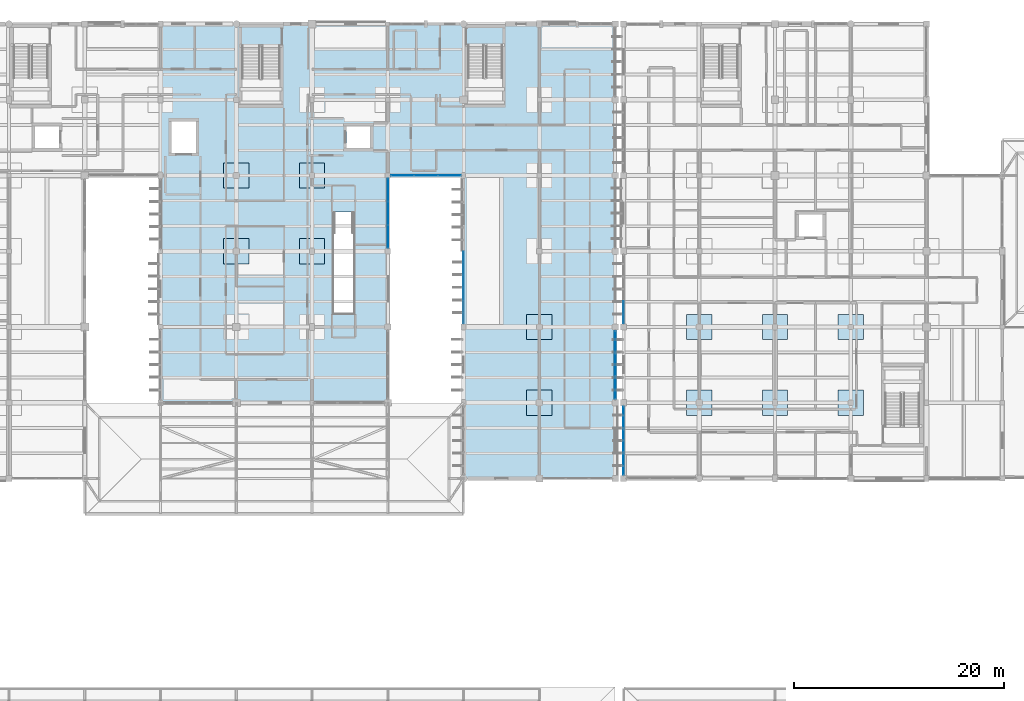
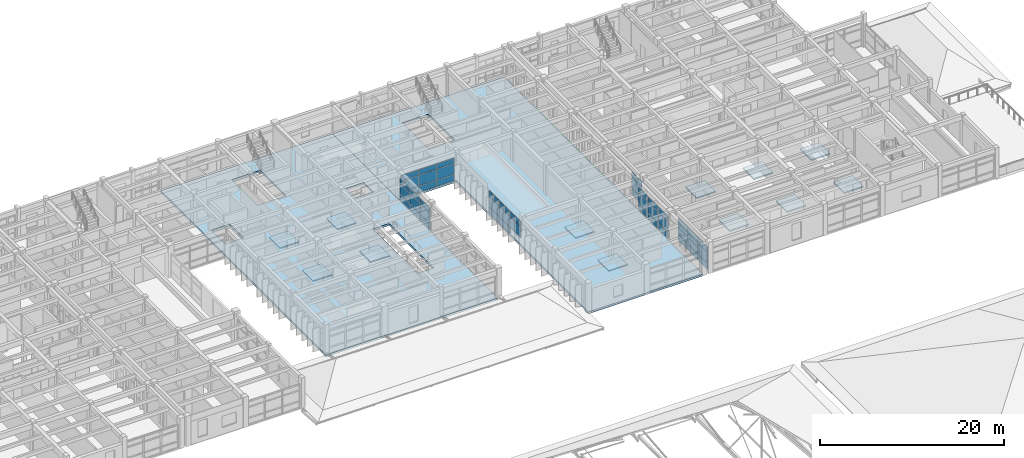
# One storey, part 53 of 100: 47 plates, 14 slabs, 6 elements without a shape of their own.
"""IFC4 building model written with IfcOpenShell, lengths in metres."""

from ifc_helpers import new_model, si_unit, direction, frame, origin, origin_2d, place, context, subcontext, project, spatial, polyline, rectangle, outline, extrude, material, layer, layer_set, type_object, element, aggregate, save


model = new_model("IFC4")

# Units and contexts
model_context = context("Model", 3, precision=1e-05, world=origin(), true_north=direction((0.0, 1.0)))
body_context = subcontext(model_context, "Body", "Model", "MODEL_VIEW")
ifc_project = project(units=[si_unit("LENGTHUNIT", "METRE"), si_unit("AREAUNIT", "SQUARE_METRE"), si_unit("VOLUMEUNIT", "CUBIC_METRE"), si_unit("PLANEANGLEUNIT", "RADIAN"), si_unit("MASSUNIT", "GRAM", prefix="KILO")], contexts=[model_context])

# Site, building, storey
site_placement = place(None, origin())
site = spatial("IfcSite", under=ifc_project, at=site_placement, CompositionType="ELEMENT")
building_placement = place(site_placement, origin())
building = spatial("IfcBuilding", under=site, at=building_placement, Name="Steenspoor Specialist Clinic", CompositionType="ELEMENT")
storey_placement = place(building_placement, frame((0.0, 0.0, 9.0)))
storey = spatial("IfcBuildingStorey", under=building, at=storey_placement, Name="L02", CompositionType="ELEMENT", Elevation=9.0)

# Curtain wall, plates
ifc_material_1 = material(Name="Thermally broken aluminium and low-emissivity glass", Category="aluminium")
curtain_wall_type_1 = type_object("IfcCurtainWallType", Name="CW-WLK-520X340", PredefinedType="USERDEFINED", material=ifc_material_1)
curtain_wall_1_placement = place(storey_placement, origin())
curtain_wall_1 = element("IfcCurtainWall", 1, at=curtain_wall_1_placement, inside=storey, type_object=curtain_wall_type_1, Name="Unitised Curtain Wall CW-V4-L02-093", ObjectType="UNITISED GLAZING", PredefinedType="USERDEFINED")
ifc_material_2 = material(Name="Double low-emissivity insulated glass", Category="glass")
ifc_layer_1 = layer(ifc_material_2, 0.035888671875)
ifc_layer_set_1 = layer_set([ifc_layer_1], Name="Double low-emissivity insulated glass")
plate_type_1 = type_object("IfcPlateType", Name="CW-PAN-GL36", PredefinedType="CURTAIN_PANEL", material=ifc_layer_set_1)
plate_1_placement = place(storey_placement, frame((101.458740234375, 93.949951171875, 0.06005859375), z_axis=(0.0, 0.0, 1.0), x_axis=(-1.0, 0.0, 0.0)))
plate_1 = element("IfcPlate", 2, at=plate_1_placement, type_object=plate_type_1, Name="CW-21 panel 1.1", PredefinedType="CURTAIN_PANEL", context=body_context, shape_type="SweptSolid", body=[
    extrude(rectangle(XDim=2.152587890625, YDim=0.035888671875, at=origin_2d()), origin(), (0.0, 0.0, 1.0), 0.81005859375),
])
plate_2_placement = place(storey_placement, frame((101.458740234375, 93.949951171875, 0.93017578125), z_axis=(0.0, 0.0, 1.0), x_axis=(-1.0, 0.0, 0.0)))
plate_2 = element("IfcPlate", 3, at=plate_2_placement, type_object=plate_type_1, Name="CW-21 panel 1.2", PredefinedType="CURTAIN_PANEL", context=body_context, shape_type="SweptSolid", body=[
    extrude(rectangle(XDim=2.152587890625, YDim=0.035888671875, at=origin_2d()), origin(), (0.0, 0.0, 1.0), 1.389892578125),
])
plate_3_placement = place(storey_placement, frame((101.458740234375, 93.949951171875, 2.380126953125), z_axis=(0.0, 0.0, 1.0), x_axis=(-1.0, 0.0, 0.0)))
plate_3 = element("IfcPlate", 4, at=plate_3_placement, type_object=plate_type_1, Name="CW-21 panel 1.3", PredefinedType="CURTAIN_PANEL", context=body_context, shape_type="SweptSolid", body=[
    extrude(rectangle(XDim=2.152587890625, YDim=0.035888671875, at=origin_2d()), origin(), (0.0, 0.0, 1.0), 0.68994140625),
])
plate_4_placement = place(storey_placement, frame((99.22509765625, 93.949951171875, 0.06005859375), z_axis=(0.0, 0.0, 1.0), x_axis=(-1.0, 0.0, 0.0)))
plate_4 = element("IfcPlate", 5, at=plate_4_placement, type_object=plate_type_1, Name="CW-21 panel 2.1", PredefinedType="CURTAIN_PANEL", context=body_context, shape_type="SweptSolid", body=[
    extrude(rectangle(XDim=2.18505859375, YDim=0.035888671875, at=origin_2d()), origin(), (0.0, 0.0, 1.0), 0.81005859375),
])
plate_5_placement = place(storey_placement, frame((99.22509765625, 93.949951171875, 0.93017578125), z_axis=(0.0, 0.0, 1.0), x_axis=(-1.0, 0.0, 0.0)))
plate_5 = element("IfcPlate", 6, at=plate_5_placement, type_object=plate_type_1, Name="CW-21 panel 2.2", PredefinedType="CURTAIN_PANEL", context=body_context, shape_type="SweptSolid", body=[
    extrude(rectangle(XDim=2.18505859375, YDim=0.035888671875, at=origin_2d()), origin(), (0.0, 0.0, 1.0), 1.389892578125),
])
plate_6_placement = place(storey_placement, frame((99.22509765625, 93.949951171875, 2.380126953125), z_axis=(0.0, 0.0, 1.0), x_axis=(-1.0, 0.0, 0.0)))
plate_6 = element("IfcPlate", 7, at=plate_6_placement, type_object=plate_type_1, Name="CW-21 panel 2.3", PredefinedType="CURTAIN_PANEL", context=body_context, shape_type="SweptSolid", body=[
    extrude(rectangle(XDim=2.18505859375, YDim=0.035888671875, at=origin_2d()), origin(), (0.0, 0.0, 1.0), 0.68994140625),
])
plate_7_placement = place(storey_placement, frame((96.9912109375, 93.949951171875, 0.06005859375), z_axis=(0.0, 0.0, 1.0), x_axis=(-1.0, 0.0, 0.0)))
plate_7 = element("IfcPlate", 8, at=plate_7_placement, type_object=plate_type_1, Name="CW-21 panel 3.1", PredefinedType="CURTAIN_PANEL", context=body_context, shape_type="SweptSolid", body=[
    extrude(rectangle(XDim=2.152587890625, YDim=0.035888671875, at=origin_2d()), origin(), (0.0, 0.0, 1.0), 0.81005859375),
])
plate_8_placement = place(storey_placement, frame((96.9912109375, 93.949951171875, 0.93017578125), z_axis=(0.0, 0.0, 1.0), x_axis=(-1.0, 0.0, 0.0)))
plate_8 = element("IfcPlate", 9, at=plate_8_placement, type_object=plate_type_1, Name="CW-21 panel 3.2", PredefinedType="CURTAIN_PANEL", context=body_context, shape_type="SweptSolid", body=[
    extrude(rectangle(XDim=2.152587890625, YDim=0.035888671875, at=origin_2d()), origin(), (0.0, 0.0, 1.0), 1.389892578125),
])
plate_9_placement = place(storey_placement, frame((96.9912109375, 93.949951171875, 2.380126953125), z_axis=(0.0, 0.0, 1.0), x_axis=(-1.0, 0.0, 0.0)))
plate_9 = element("IfcPlate", 10, at=plate_9_placement, type_object=plate_type_1, Name="CW-21 panel 3.3", PredefinedType="CURTAIN_PANEL", context=body_context, shape_type="SweptSolid", body=[
    extrude(rectangle(XDim=2.152587890625, YDim=0.035888671875, at=origin_2d()), origin(), (0.0, 0.0, 1.0), 0.68994140625),
])
aggregate(curtain_wall_1, [plate_1, plate_2, plate_3, plate_4, plate_5, plate_6, plate_7, plate_8, plate_9])

curtain_wall_type_2 = type_object("IfcCurtainWallType", Name="CW-WLK-360X340", PredefinedType="USERDEFINED", material=ifc_material_1)
curtain_wall_2_placement = place(storey_placement, origin())
curtain_wall_2 = element("IfcCurtainWall", 11, at=curtain_wall_2_placement, inside=storey, type_object=curtain_wall_type_2, Name="Unitised Curtain Wall CW-V4-L02-094", ObjectType="UNITISED GLAZING", PredefinedType="USERDEFINED")
ifc_material_3 = material(Name="Triple acoustic laminated low-emissivity glass", Category="glass")
ifc_layer_2 = layer(ifc_material_3, 0.048095703125)
ifc_layer_set_2 = layer_set([ifc_layer_2], Name="Triple acoustic laminated low-emissivity glass")
plate_type_2 = type_object("IfcPlateType", Name="CW-PAN-GL48", PredefinedType="CURTAIN_PANEL", material=ifc_layer_set_2)
plate_10_placement = place(storey_placement, frame((95.60009765625, 92.572509765625, 0.08984375), z_axis=(0.0, 0.0, 1.0), x_axis=(0.0, -1.0, 0.0)))
plate_10 = element("IfcPlate", 12, at=plate_10_placement, type_object=plate_type_2, Name="CW-22 panel 1.1", PredefinedType="CURTAIN_PANEL", context=body_context, shape_type="SweptSolid", body=[
    extrude(rectangle(XDim=2.135009765625, YDim=0.048095703125, at=origin_2d()), origin(), (0.0, 0.0, 1.0), 0.764892578125),
])
plate_11_placement = place(storey_placement, frame((95.60009765625, 92.572509765625, 0.94482421875), z_axis=(0.0, 0.0, 1.0), x_axis=(0.0, -1.0, 0.0)))
plate_11 = element("IfcPlate", 13, at=plate_11_placement, type_object=plate_type_2, Name="CW-22 panel 1.2", PredefinedType="CURTAIN_PANEL", context=body_context, shape_type="SweptSolid", body=[
    extrude(rectangle(XDim=2.135009765625, YDim=0.048095703125, at=origin_2d()), origin(), (0.0, 0.0, 1.0), 1.360107421875),
])
plate_12_placement = place(storey_placement, frame((95.60009765625, 92.572509765625, 2.39501953125), z_axis=(0.0, 0.0, 1.0), x_axis=(0.0, -1.0, 0.0)))
plate_12 = element("IfcPlate", 14, at=plate_12_placement, type_object=plate_type_2, Name="CW-22 panel 1.3", PredefinedType="CURTAIN_PANEL", context=body_context, shape_type="SweptSolid", body=[
    extrude(rectangle(XDim=2.135009765625, YDim=0.048095703125, at=origin_2d()), origin(), (0.0, 0.0, 1.0), 0.64501953125),
])
plate_13_placement = place(storey_placement, frame((95.60009765625, 90.362548828125, 0.08984375), z_axis=(0.0, 0.0, 1.0), x_axis=(0.0, -1.0, 0.0)))
plate_13 = element("IfcPlate", 15, at=plate_13_placement, type_object=plate_type_2, Name="CW-22 panel 2.1", PredefinedType="CURTAIN_PANEL", context=body_context, shape_type="SweptSolid", body=[
    extrude(rectangle(XDim=2.1650390625, YDim=0.048095703125, at=origin_2d()), origin(), (0.0, 0.0, 1.0), 0.764892578125),
])
plate_14_placement = place(storey_placement, frame((95.60009765625, 90.362548828125, 0.94482421875), z_axis=(0.0, 0.0, 1.0), x_axis=(0.0, -1.0, 0.0)))
plate_14 = element("IfcPlate", 16, at=plate_14_placement, type_object=plate_type_2, Name="CW-22 panel 2.2", PredefinedType="CURTAIN_PANEL", context=body_context, shape_type="SweptSolid", body=[
    extrude(rectangle(XDim=2.1650390625, YDim=0.048095703125, at=origin_2d()), origin(), (0.0, 0.0, 1.0), 1.360107421875),
])
plate_15_placement = place(storey_placement, frame((95.60009765625, 90.362548828125, 2.39501953125), z_axis=(0.0, 0.0, 1.0), x_axis=(0.0, -1.0, 0.0)))
plate_15 = element("IfcPlate", 17, at=plate_15_placement, type_object=plate_type_2, Name="CW-22 panel 2.3", PredefinedType="CURTAIN_PANEL", context=body_context, shape_type="SweptSolid", body=[
    extrude(rectangle(XDim=2.1650390625, YDim=0.048095703125, at=origin_2d()), origin(), (0.0, 0.0, 1.0), 0.64501953125),
])
plate_16_placement = place(storey_placement, frame((95.60009765625, 88.152587890625, 0.08984375), z_axis=(0.0, 0.0, 1.0), x_axis=(0.0, -1.0, 0.0)))
plate_16 = element("IfcPlate", 18, at=plate_16_placement, type_object=plate_type_2, Name="CW-22 panel 3.1", PredefinedType="CURTAIN_PANEL", context=body_context, shape_type="SweptSolid", body=[
    extrude(rectangle(XDim=2.135009765625, YDim=0.048095703125, at=origin_2d()), origin(), (0.0, 0.0, 1.0), 0.764892578125),
])
plate_17_placement = place(storey_placement, frame((95.60009765625, 88.152587890625, 0.94482421875), z_axis=(0.0, 0.0, 1.0), x_axis=(0.0, -1.0, 0.0)))
plate_17 = element("IfcPlate", 19, at=plate_17_placement, type_object=plate_type_2, Name="CW-22 panel 3.2", PredefinedType="CURTAIN_PANEL", context=body_context, shape_type="SweptSolid", body=[
    extrude(rectangle(XDim=2.135009765625, YDim=0.048095703125, at=origin_2d()), origin(), (0.0, 0.0, 1.0), 1.360107421875),
])
plate_18_placement = place(storey_placement, frame((95.60009765625, 88.152587890625, 2.39501953125), z_axis=(0.0, 0.0, 1.0), x_axis=(0.0, -1.0, 0.0)))
plate_18 = element("IfcPlate", 20, at=plate_18_placement, type_object=plate_type_2, Name="CW-22 panel 3.3", PredefinedType="CURTAIN_PANEL", context=body_context, shape_type="SweptSolid", body=[
    extrude(rectangle(XDim=2.135009765625, YDim=0.048095703125, at=origin_2d()), origin(), (0.0, 0.0, 1.0), 0.64501953125),
])
aggregate(curtain_wall_2, [plate_10, plate_11, plate_12, plate_13, plate_14, plate_15, plate_16, plate_17, plate_18])

curtain_wall_type_3 = type_object("IfcCurtainWallType", Name="CW-SCR-360X320", PredefinedType="USERDEFINED", material=ifc_material_1)
curtain_wall_3_placement = place(storey_placement, origin())
curtain_wall_3 = element("IfcCurtainWall", 21, at=curtain_wall_3_placement, inside=storey, type_object=curtain_wall_type_3, Name="Unitised Curtain Wall CW-V6-L02-187", ObjectType="UNITISED GLAZING", PredefinedType="USERDEFINED")
plate_19_placement = place(storey_placement, frame((118.0, 66.570068359375, 0.06494140625), z_axis=(0.0, 0.0, 1.0), x_axis=(0.0, 1.0, 0.0)))
plate_19 = element("IfcPlate", 22, at=plate_19_placement, type_object=plate_type_2, Name="CW-19 panel 1.1", PredefinedType="CURTAIN_PANEL", context=body_context, shape_type="SweptSolid", body=[
    extrude(rectangle(XDim=2.080078125, YDim=0.048095703125, at=origin_2d()), origin(), (0.0, 0.0, 1.0), 0.802490234375),
])
plate_20_placement = place(storey_placement, frame((118.0, 66.570068359375, 0.9326171875), z_axis=(0.0, 0.0, 1.0), x_axis=(0.0, 1.0, 0.0)))
plate_20 = element("IfcPlate", 23, at=plate_20_placement, type_object=plate_type_2, Name="CW-19 panel 1.2", PredefinedType="CURTAIN_PANEL", context=body_context, shape_type="SweptSolid", body=[
    extrude(rectangle(XDim=2.080078125, YDim=0.048095703125, at=origin_2d()), origin(), (0.0, 0.0, 1.0), 1.385009765625),
])
plate_21_placement = place(storey_placement, frame((118.0, 66.570068359375, 2.38232421875), z_axis=(0.0, 0.0, 1.0), x_axis=(0.0, 1.0, 0.0)))
plate_21 = element("IfcPlate", 24, at=plate_21_placement, type_object=plate_type_2, Name="CW-19 panel 1.3", PredefinedType="CURTAIN_PANEL", context=body_context, shape_type="SweptSolid", body=[
    extrude(rectangle(XDim=2.080078125, YDim=0.048095703125, at=origin_2d()), origin(), (0.0, 0.0, 1.0), 0.6826171875),
])
plate_22_placement = place(storey_placement, frame((118.0, 68.75, 0.06494140625), z_axis=(0.0, 0.0, 1.0), x_axis=(0.0, 1.0, 0.0)))
plate_22 = element("IfcPlate", 25, at=plate_22_placement, type_object=plate_type_2, Name="CW-19 panel 2.1", PredefinedType="CURTAIN_PANEL", context=body_context, shape_type="SweptSolid", body=[
    extrude(rectangle(XDim=2.1201171875, YDim=0.048095703125, at=origin_2d()), origin(), (0.0, 0.0, 1.0), 0.802490234375),
])
plate_23_placement = place(storey_placement, frame((118.0, 68.75, 0.9326171875), z_axis=(0.0, 0.0, 1.0), x_axis=(0.0, 1.0, 0.0)))
plate_23 = element("IfcPlate", 26, at=plate_23_placement, type_object=plate_type_2, Name="CW-19 panel 2.2", PredefinedType="CURTAIN_PANEL", context=body_context, shape_type="SweptSolid", body=[
    extrude(rectangle(XDim=2.1201171875, YDim=0.048095703125, at=origin_2d()), origin(), (0.0, 0.0, 1.0), 1.385009765625),
])
plate_24_placement = place(storey_placement, frame((118.0, 68.75, 2.38232421875), z_axis=(0.0, 0.0, 1.0), x_axis=(0.0, 1.0, 0.0)))
plate_24 = element("IfcPlate", 27, at=plate_24_placement, type_object=plate_type_2, Name="CW-19 panel 2.3", PredefinedType="CURTAIN_PANEL", context=body_context, shape_type="SweptSolid", body=[
    extrude(rectangle(XDim=2.1201171875, YDim=0.048095703125, at=origin_2d()), origin(), (0.0, 0.0, 1.0), 0.6826171875),
])
plate_25_placement = place(storey_placement, frame((118.0, 70.929931640625, 0.06494140625), z_axis=(0.0, 0.0, 1.0), x_axis=(0.0, 1.0, 0.0)))
plate_25 = element("IfcPlate", 28, at=plate_25_placement, type_object=plate_type_2, Name="CW-19 panel 3.1", PredefinedType="CURTAIN_PANEL", context=body_context, shape_type="SweptSolid", body=[
    extrude(rectangle(XDim=2.080078125, YDim=0.048095703125, at=origin_2d()), origin(), (0.0, 0.0, 1.0), 0.802490234375),
])
plate_26_placement = place(storey_placement, frame((118.0, 70.929931640625, 0.9326171875), z_axis=(0.0, 0.0, 1.0), x_axis=(0.0, 1.0, 0.0)))
plate_26 = element("IfcPlate", 29, at=plate_26_placement, type_object=plate_type_2, Name="CW-19 panel 3.2", PredefinedType="CURTAIN_PANEL", context=body_context, shape_type="SweptSolid", body=[
    extrude(rectangle(XDim=2.080078125, YDim=0.048095703125, at=origin_2d()), origin(), (0.0, 0.0, 1.0), 1.385009765625),
])
plate_27_placement = place(storey_placement, frame((118.0, 70.929931640625, 2.38232421875), z_axis=(0.0, 0.0, 1.0), x_axis=(0.0, 1.0, 0.0)))
plate_27 = element("IfcPlate", 30, at=plate_27_placement, type_object=plate_type_2, Name="CW-19 panel 3.3", PredefinedType="CURTAIN_PANEL", context=body_context, shape_type="SweptSolid", body=[
    extrude(rectangle(XDim=2.080078125, YDim=0.048095703125, at=origin_2d()), origin(), (0.0, 0.0, 1.0), 0.6826171875),
])
aggregate(curtain_wall_3, [plate_19, plate_20, plate_21, plate_22, plate_23, plate_24, plate_25, plate_26, plate_27])

curtain_wall_type_4 = type_object("IfcCurtainWallType", Name="CW-SCR-660X320", PredefinedType="USERDEFINED", material=ifc_material_1)
curtain_wall_4_placement = place(storey_placement, origin())
curtain_wall_4 = element("IfcCurtainWall", 31, at=curtain_wall_4_placement, inside=storey, type_object=curtain_wall_type_4, Name="Unitised Curtain Wall CW-V4-L02-089", ObjectType="UNITISED GLAZING", PredefinedType="USERDEFINED")
ifc_material_4 = material(Name="Insulated glazed ceramic spandrel panel", Category="glass")
ifc_layer_3 = layer(ifc_material_4, 0.074951171875)
ifc_layer_set_3 = layer_set([ifc_layer_3], Name="Insulated glazed ceramic spandrel panel")
plate_type_3 = type_object("IfcPlateType", Name="CW-PAN-SP75", PredefinedType="CURTAIN_PANEL", material=ifc_layer_set_3)
plate_28_placement = place(storey_placement, frame((117.199951171875, 78.12744140625, 0.08984375), z_axis=(0.0, 0.0, 1.0), x_axis=(0.0, -1.0, 0.0)))
plate_28 = element("IfcPlate", 32, at=plate_28_placement, type_object=plate_type_3, Name="CW-17 panel 1.1", PredefinedType="CURTAIN_PANEL", context=body_context, shape_type="SweptSolid", body=[
    extrude(rectangle(XDim=2.06494140625, YDim=0.074951171875, at=origin_2d()), origin(), (0.0, 0.0, 1.0), 0.764892578125),
])
plate_29_placement = place(storey_placement, frame((117.199951171875, 78.12744140625, 0.94482421875), z_axis=(0.0, 0.0, 1.0), x_axis=(0.0, -1.0, 0.0)))
plate_29 = element("IfcPlate", 33, at=plate_29_placement, type_object=plate_type_3, Name="CW-17 panel 1.2", PredefinedType="CURTAIN_PANEL", context=body_context, shape_type="SweptSolid", body=[
    extrude(rectangle(XDim=2.06494140625, YDim=0.074951171875, at=origin_2d()), origin(), (0.0, 0.0, 1.0), 1.360107421875),
])
plate_30_placement = place(storey_placement, frame((117.199951171875, 78.12744140625, 2.39501953125), z_axis=(0.0, 0.0, 1.0), x_axis=(0.0, -1.0, 0.0)))
plate_30 = element("IfcPlate", 34, at=plate_30_placement, type_object=plate_type_3, Name="CW-17 panel 1.3", PredefinedType="CURTAIN_PANEL", context=body_context, shape_type="SweptSolid", body=[
    extrude(rectangle(XDim=2.06494140625, YDim=0.074951171875, at=origin_2d()), origin(), (0.0, 0.0, 1.0), 0.64501953125),
])
plate_31_placement = place(storey_placement, frame((117.199951171875, 75.949951171875, 0.08984375), z_axis=(0.0, 0.0, 1.0), x_axis=(0.0, -1.0, 0.0)))
plate_31 = element("IfcPlate", 35, at=plate_31_placement, type_object=plate_type_3, Name="CW-17 panel 2.1", PredefinedType="CURTAIN_PANEL", context=body_context, shape_type="SweptSolid", body=[
    extrude(rectangle(XDim=2.110107421875, YDim=0.074951171875, at=origin_2d()), origin(), (0.0, 0.0, 1.0), 0.764892578125),
])
plate_32_placement = place(storey_placement, frame((117.199951171875, 75.949951171875, 0.94482421875), z_axis=(0.0, 0.0, 1.0), x_axis=(0.0, -1.0, 0.0)))
plate_32 = element("IfcPlate", 36, at=plate_32_placement, type_object=plate_type_3, Name="CW-17 panel 2.2", PredefinedType="CURTAIN_PANEL", context=body_context, shape_type="SweptSolid", body=[
    extrude(rectangle(XDim=2.110107421875, YDim=0.074951171875, at=origin_2d()), origin(), (0.0, 0.0, 1.0), 1.360107421875),
])
plate_33_placement = place(storey_placement, frame((117.199951171875, 75.949951171875, 2.39501953125), z_axis=(0.0, 0.0, 1.0), x_axis=(0.0, -1.0, 0.0)))
plate_33 = element("IfcPlate", 37, at=plate_33_placement, type_object=plate_type_3, Name="CW-17 panel 2.3", PredefinedType="CURTAIN_PANEL", context=body_context, shape_type="SweptSolid", body=[
    extrude(rectangle(XDim=2.110107421875, YDim=0.074951171875, at=origin_2d()), origin(), (0.0, 0.0, 1.0), 0.64501953125),
])
plate_34_placement = place(storey_placement, frame((117.199951171875, 73.7724609375, 0.08984375), z_axis=(0.0, 0.0, 1.0), x_axis=(0.0, -1.0, 0.0)))
plate_34 = element("IfcPlate", 38, at=plate_34_placement, type_object=plate_type_3, Name="CW-17 panel 3.1", PredefinedType="CURTAIN_PANEL", context=body_context, shape_type="SweptSolid", body=[
    extrude(rectangle(XDim=2.06494140625, YDim=0.074951171875, at=origin_2d()), origin(), (0.0, 0.0, 1.0), 0.764892578125),
])
plate_35_placement = place(storey_placement, frame((117.199951171875, 73.7724609375, 0.94482421875), z_axis=(0.0, 0.0, 1.0), x_axis=(0.0, -1.0, 0.0)))
plate_35 = element("IfcPlate", 39, at=plate_35_placement, type_object=plate_type_3, Name="CW-17 panel 3.2", PredefinedType="CURTAIN_PANEL", context=body_context, shape_type="SweptSolid", body=[
    extrude(rectangle(XDim=2.06494140625, YDim=0.074951171875, at=origin_2d()), origin(), (0.0, 0.0, 1.0), 1.360107421875),
])
plate_36_placement = place(storey_placement, frame((117.199951171875, 73.7724609375, 2.39501953125), z_axis=(0.0, 0.0, 1.0), x_axis=(0.0, -1.0, 0.0)))
plate_36 = element("IfcPlate", 40, at=plate_36_placement, type_object=plate_type_3, Name="CW-17 panel 3.3", PredefinedType="CURTAIN_PANEL", context=body_context, shape_type="SweptSolid", body=[
    extrude(rectangle(XDim=2.06494140625, YDim=0.074951171875, at=origin_2d()), origin(), (0.0, 0.0, 1.0), 0.64501953125),
])
aggregate(curtain_wall_4, [plate_28, plate_29, plate_30, plate_31, plate_32, plate_33, plate_34, plate_35, plate_36])

curtain_wall_type_5 = type_object("IfcCurtainWallType", Name="CW-WLK-640X340", PredefinedType="USERDEFINED", material=ifc_material_1)
curtain_wall_5_placement = place(storey_placement, origin())
curtain_wall_5 = element("IfcCurtainWall", 41, at=curtain_wall_5_placement, inside=storey, type_object=curtain_wall_type_5, Name="Unitised Curtain Wall CW-V4-L02-092", ObjectType="UNITISED GLAZING", PredefinedType="USERDEFINED")
plate_37_placement = place(storey_placement, frame((102.800048828125, 81.01953125, 0.9326171875), z_axis=(0.0, 0.0, 1.0), x_axis=(0.0, 1.0, 0.0)))
plate_37 = element("IfcPlate", 42, at=plate_37_placement, type_object=plate_type_3, Name="CW-20 panel 1.2", PredefinedType="CURTAIN_PANEL", context=body_context, shape_type="SweptSolid", body=[
    extrude(rectangle(XDim=2.19921875, YDim=0.074951171875, at=origin_2d()), origin(), (0.0, 0.0, 1.0), 1.385009765625),
])
plate_38_placement = place(storey_placement, frame((102.800048828125, 81.01953125, 2.38232421875), z_axis=(0.0, 0.0, 1.0), x_axis=(0.0, 1.0, 0.0)))
plate_38 = element("IfcPlate", 43, at=plate_38_placement, type_object=plate_type_3, Name="CW-20 panel 1.3", PredefinedType="CURTAIN_PANEL", context=body_context, shape_type="SweptSolid", body=[
    extrude(rectangle(XDim=2.19921875, YDim=0.074951171875, at=origin_2d()), origin(), (0.0, 0.0, 1.0), 0.6826171875),
])
plate_39_placement = place(storey_placement, frame((102.800048828125, 83.30615234375, 0.06494140625), z_axis=(0.0, 0.0, 1.0), x_axis=(0.0, 1.0, 0.0)))
plate_39 = element("IfcPlate", 44, at=plate_39_placement, type_object=plate_type_3, Name="CW-20 panel 2.1", PredefinedType="CURTAIN_PANEL", context=body_context, shape_type="SweptSolid", body=[
    extrude(rectangle(XDim=2.234130859375, YDim=0.074951171875, at=origin_2d()), origin(), (0.0, 0.0, 1.0), 0.802490234375),
])
plate_40_placement = place(storey_placement, frame((102.800048828125, 83.30615234375, 0.9326171875), z_axis=(0.0, 0.0, 1.0), x_axis=(0.0, 1.0, 0.0)))
plate_40 = element("IfcPlate", 45, at=plate_40_placement, type_object=plate_type_3, Name="CW-20 panel 2.2", PredefinedType="CURTAIN_PANEL", context=body_context, shape_type="SweptSolid", body=[
    extrude(rectangle(XDim=2.234130859375, YDim=0.074951171875, at=origin_2d()), origin(), (0.0, 0.0, 1.0), 1.385009765625),
])
plate_41_placement = place(storey_placement, frame((102.800048828125, 83.30615234375, 2.38232421875), z_axis=(0.0, 0.0, 1.0), x_axis=(0.0, 1.0, 0.0)))
plate_41 = element("IfcPlate", 46, at=plate_41_placement, type_object=plate_type_3, Name="CW-20 panel 2.3", PredefinedType="CURTAIN_PANEL", context=body_context, shape_type="SweptSolid", body=[
    extrude(rectangle(XDim=2.234130859375, YDim=0.074951171875, at=origin_2d()), origin(), (0.0, 0.0, 1.0), 0.6826171875),
])
plate_42_placement = place(storey_placement, frame((102.800048828125, 85.593017578125, 0.06494140625), z_axis=(0.0, 0.0, 1.0), x_axis=(0.0, 1.0, 0.0)))
plate_42 = element("IfcPlate", 47, at=plate_42_placement, type_object=plate_type_3, Name="CW-20 panel 3.1", PredefinedType="CURTAIN_PANEL", context=body_context, shape_type="SweptSolid", body=[
    extrude(rectangle(XDim=2.19921875, YDim=0.074951171875, at=origin_2d()), origin(), (0.0, 0.0, 1.0), 0.802490234375),
])
plate_43_placement = place(storey_placement, frame((102.800048828125, 85.593017578125, 0.9326171875), z_axis=(0.0, 0.0, 1.0), x_axis=(0.0, 1.0, 0.0)))
plate_43 = element("IfcPlate", 48, at=plate_43_placement, type_object=plate_type_3, Name="CW-20 panel 3.2", PredefinedType="CURTAIN_PANEL", context=body_context, shape_type="SweptSolid", body=[
    extrude(rectangle(XDim=2.19921875, YDim=0.074951171875, at=origin_2d()), origin(), (0.0, 0.0, 1.0), 1.385009765625),
])
plate_44_placement = place(storey_placement, frame((102.800048828125, 85.593017578125, 2.38232421875), z_axis=(0.0, 0.0, 1.0), x_axis=(0.0, 1.0, 0.0)))
plate_44 = element("IfcPlate", 49, at=plate_44_placement, type_object=plate_type_3, Name="CW-20 panel 3.3", PredefinedType="CURTAIN_PANEL", context=body_context, shape_type="SweptSolid", body=[
    extrude(rectangle(XDim=2.19921875, YDim=0.074951171875, at=origin_2d()), origin(), (0.0, 0.0, 1.0), 0.6826171875),
])
aggregate(curtain_wall_5, [plate_37, plate_38, plate_39, plate_40, plate_41, plate_42, plate_43, plate_44])

curtain_wall_6_placement = place(storey_placement, origin())
curtain_wall_6 = element("IfcCurtainWall", 50, at=curtain_wall_6_placement, inside=storey, type_object=curtain_wall_type_5, Name="Unitised Curtain Wall CW-V6-L02-188", ObjectType="UNITISED GLAZING", PredefinedType="USERDEFINED")
plate_45_placement = place(storey_placement, frame((118.0, 80.967529296875, 0.06005859375), z_axis=(0.0, 0.0, 1.0), x_axis=(0.0, 1.0, 0.0)))
plate_45 = element("IfcPlate", 51, at=plate_45_placement, type_object=plate_type_3, Name="CW-20 panel 1.1", PredefinedType="CURTAIN_PANEL", context=body_context, shape_type="SweptSolid", body=[
    extrude(rectangle(XDim=2.094970703125, YDim=0.074951171875, at=origin_2d()), origin(), (0.0, 0.0, 1.0), 0.81005859375),
])
plate_46_placement = place(storey_placement, frame((118.0, 80.967529296875, 0.93017578125), z_axis=(0.0, 0.0, 1.0), x_axis=(0.0, 1.0, 0.0)))
plate_46 = element("IfcPlate", 52, at=plate_46_placement, type_object=plate_type_3, Name="CW-20 panel 1.2", PredefinedType="CURTAIN_PANEL", context=body_context, shape_type="SweptSolid", body=[
    extrude(rectangle(XDim=2.094970703125, YDim=0.074951171875, at=origin_2d()), origin(), (0.0, 0.0, 1.0), 1.389892578125),
])
plate_47_placement = place(storey_placement, frame((118.0, 80.967529296875, 2.380126953125), z_axis=(0.0, 0.0, 1.0), x_axis=(0.0, 1.0, 0.0)))
plate_47 = element("IfcPlate", 53, at=plate_47_placement, type_object=plate_type_3, Name="CW-20 panel 1.3", PredefinedType="CURTAIN_PANEL", context=body_context, shape_type="SweptSolid", body=[
    extrude(rectangle(XDim=2.094970703125, YDim=0.074951171875, at=origin_2d()), origin(), (0.0, 0.0, 1.0), 0.68994140625),
])
aggregate(curtain_wall_6, [plate_45, plate_46, plate_47])

# Slabs
ifc_material_5 = material(Name="Concrete C35/45", Category="concrete")
ifc_layer_4 = layer(ifc_material_5, 0.169921875)
ifc_layer_set_4 = layer_set([ifc_layer_4], Name="Concrete C35/45")
slab_type_1 = type_object("IfcSlabType", Name="SL-DROP-170", PredefinedType="USERDEFINED", material=ifc_layer_set_4)
slab_1_placement = place(storey_placement, frame((0.0, 0.0, -0.419921875)))
element("IfcSlab", 54, at=slab_1_placement, inside=storey, type_object=slab_type_1, Name="Column Drop Panel DROP-V4-L02-043", ObjectType="DROP PANEL", PredefinedType="USERDEFINED", context=body_context, shape_type="SweptSolid", body=[
    extrude(outline(polyline([(82.39990234375, 85.550048828125), (82.39990234375, 87.949951171875), (80.0, 87.949951171875), (80.0, 85.550048828125), (82.39990234375, 85.550048828125)])), origin(), (0.0, 0.0, 1.0), 0.169921875),
])
slab_2_placement = place(storey_placement, frame((0.0, 0.0, -0.419921875)))
element("IfcSlab", 55, at=slab_2_placement, inside=storey, type_object=slab_type_1, Name="Column Drop Panel DROP-V4-L02-044", ObjectType="DROP PANEL", PredefinedType="USERDEFINED", context=body_context, shape_type="SweptSolid", body=[
    extrude(outline(polyline([(82.39990234375, 92.75), (82.39990234375, 95.14990234375), (80.0, 95.14990234375), (80.0, 92.75), (82.39990234375, 92.75)])), origin(), (0.0, 0.0, 1.0), 0.169921875),
])
slab_3_placement = place(storey_placement, frame((0.0, 0.0, -0.419921875)))
element("IfcSlab", 56, at=slab_3_placement, inside=storey, type_object=slab_type_1, Name="Column Drop Panel DROP-V4-L02-046", ObjectType="DROP PANEL", PredefinedType="USERDEFINED", context=body_context, shape_type="SweptSolid", body=[
    extrude(outline(polyline([(89.60009765625, 85.550048828125), (89.60009765625, 87.949951171875), (87.199951171875, 87.949951171875), (87.199951171875, 85.550048828125), (89.60009765625, 85.550048828125)])), origin(), (0.0, 0.0, 1.0), 0.169921875),
])
slab_4_placement = place(storey_placement, frame((0.0, 0.0, -0.419921875)))
element("IfcSlab", 57, at=slab_4_placement, inside=storey, type_object=slab_type_1, Name="Column Drop Panel DROP-V4-L02-047", ObjectType="DROP PANEL", PredefinedType="USERDEFINED", context=body_context, shape_type="SweptSolid", body=[
    extrude(outline(polyline([(89.60009765625, 92.75), (89.60009765625, 95.14990234375), (87.199951171875, 95.14990234375), (87.199951171875, 92.75), (89.60009765625, 92.75)])), origin(), (0.0, 0.0, 1.0), 0.169921875),
])
slab_5_placement = place(storey_placement, frame((0.0, 0.0, -0.419921875)))
element("IfcSlab", 58, at=slab_5_placement, inside=storey, type_object=slab_type_1, Name="Column Drop Panel DROP-V4-L02-050", ObjectType="DROP PANEL", PredefinedType="USERDEFINED", context=body_context, shape_type="SweptSolid", body=[
    extrude(outline(polyline([(111.199951171875, 71.14990234375), (111.199951171875, 73.550048828125), (108.800048828125, 73.550048828125), (108.800048828125, 71.14990234375), (111.199951171875, 71.14990234375)])), origin(), (0.0, 0.0, 1.0), 0.169921875),
])
slab_6_placement = place(storey_placement, frame((0.0, 0.0, -0.419921875)))
element("IfcSlab", 59, at=slab_6_placement, inside=storey, type_object=slab_type_1, Name="Column Drop Panel DROP-V4-L02-051", ObjectType="DROP PANEL", PredefinedType="USERDEFINED", context=body_context, shape_type="SweptSolid", body=[
    extrude(outline(polyline([(111.199951171875, 78.35009765625), (111.199951171875, 80.75), (108.800048828125, 80.75), (108.800048828125, 78.35009765625), (111.199951171875, 78.35009765625)])), origin(), (0.0, 0.0, 1.0), 0.169921875),
])
slab_7_placement = place(storey_placement, frame((0.0, 0.0, -0.419921875)))
element("IfcSlab", 60, at=slab_7_placement, inside=storey, type_object=slab_type_1, Name="Column Drop Panel DROP-V6-L02-144", ObjectType="DROP PANEL", PredefinedType="USERDEFINED", context=body_context, shape_type="SweptSolid", body=[
    extrude(outline(polyline([(126.39990234375, 71.14990234375), (126.39990234375, 73.550048828125), (124.0, 73.550048828125), (124.0, 71.14990234375), (126.39990234375, 71.14990234375)])), origin(), (0.0, 0.0, 1.0), 0.169921875),
])
slab_8_placement = place(storey_placement, frame((0.0, 0.0, -0.419921875)))
element("IfcSlab", 61, at=slab_8_placement, inside=storey, type_object=slab_type_1, Name="Column Drop Panel DROP-V6-L02-145", ObjectType="DROP PANEL", PredefinedType="USERDEFINED", context=body_context, shape_type="SweptSolid", body=[
    extrude(outline(polyline([(126.39990234375, 78.35009765625), (126.39990234375, 80.75), (124.0, 80.75), (124.0, 78.35009765625), (126.39990234375, 78.35009765625)])), origin(), (0.0, 0.0, 1.0), 0.169921875),
])
slab_9_placement = place(storey_placement, frame((0.0, 0.0, -0.419921875)))
element("IfcSlab", 62, at=slab_9_placement, inside=storey, type_object=slab_type_1, Name="Column Drop Panel DROP-V6-L02-148", ObjectType="DROP PANEL", PredefinedType="USERDEFINED", context=body_context, shape_type="SweptSolid", body=[
    extrude(outline(polyline([(133.60009765625, 71.14990234375), (133.60009765625, 73.550048828125), (131.199951171875, 73.550048828125), (131.199951171875, 71.14990234375), (133.60009765625, 71.14990234375)])), origin(), (0.0, 0.0, 1.0), 0.169921875),
])
slab_10_placement = place(storey_placement, frame((0.0, 0.0, -0.419921875)))
element("IfcSlab", 63, at=slab_10_placement, inside=storey, type_object=slab_type_1, Name="Column Drop Panel DROP-V6-L02-149", ObjectType="DROP PANEL", PredefinedType="USERDEFINED", context=body_context, shape_type="SweptSolid", body=[
    extrude(outline(polyline([(133.60009765625, 78.35009765625), (133.60009765625, 80.75), (131.199951171875, 80.75), (131.199951171875, 78.35009765625), (133.60009765625, 78.35009765625)])), origin(), (0.0, 0.0, 1.0), 0.169921875),
])
slab_11_placement = place(storey_placement, frame((0.0, 0.0, -0.419921875)))
element("IfcSlab", 64, at=slab_11_placement, inside=storey, type_object=slab_type_1, Name="Column Drop Panel DROP-V6-L02-153", ObjectType="DROP PANEL", PredefinedType="USERDEFINED", context=body_context, shape_type="SweptSolid", body=[
    extrude(outline(polyline([(140.800048828125, 71.14990234375), (140.800048828125, 73.550048828125), (138.39990234375, 73.550048828125), (138.39990234375, 71.14990234375), (140.800048828125, 71.14990234375)])), origin(), (0.0, 0.0, 1.0), 0.169921875),
])
slab_12_placement = place(storey_placement, frame((0.0, 0.0, -0.419921875)))
element("IfcSlab", 65, at=slab_12_placement, inside=storey, type_object=slab_type_1, Name="Column Drop Panel DROP-V6-L02-154", ObjectType="DROP PANEL", PredefinedType="USERDEFINED", context=body_context, shape_type="SweptSolid", body=[
    extrude(outline(polyline([(140.800048828125, 78.35009765625), (140.800048828125, 80.75), (138.39990234375, 80.75), (138.39990234375, 78.35009765625), (140.800048828125, 78.35009765625)])), origin(), (0.0, 0.0, 1.0), 0.169921875),
])
ifc_layer_5 = layer(ifc_material_5, 0.25)
ifc_layer_set_5 = layer_set([ifc_layer_5], Name="Concrete C35/45")
slab_type_2 = type_object("IfcSlabType", Name="SL-FLAT-250", PredefinedType="FLOOR", material=ifc_layer_set_5)
slab_13_placement = place(storey_placement, frame((0.0, 0.0, -0.25)))
element("IfcSlab", 66, at=slab_13_placement, inside=storey, type_object=slab_type_2, Name="Structural Slab SLAB-V4-L02-020", PredefinedType="FLOOR", context=body_context, shape_type="SweptSolid", body=[
    extrude(outline(polyline([(95.60009765625, 108.35009765625), (95.60009765625, 93.949951171875), (95.60009765625, 72.35009765625), (74.0, 72.35009765625), (74.0, 93.949951171875), (74.0, 108.35009765625), (95.60009765625, 108.35009765625)]), holes=[polyline([(75.050048828125, 99.10009765625), (75.050048828125, 96.10009765625), (77.35009765625, 96.10009765625), (77.35009765625, 99.10009765625), (75.050048828125, 99.10009765625)]), polyline([(90.39990234375, 90.5), (90.39990234375, 80.800048828125), (92.39990234375, 80.800048828125), (92.39990234375, 90.5), (90.39990234375, 90.5)]), polyline([(91.675048828125, 98.64990234375), (91.675048828125, 96.550048828125), (93.925048828125, 96.550048828125), (93.925048828125, 98.64990234375), (91.675048828125, 98.64990234375)]), polyline([(81.75, 106.280029296875), (81.75, 100.699951171875), (85.35009765625, 100.699951171875), (85.35009765625, 106.280029296875), (81.75, 106.280029296875)])]), origin(), (0.0, 0.0, 1.0), 0.25),
])
slab_14_placement = place(storey_placement, frame((0.0, 0.0, -0.25)))
element("IfcSlab", 67, at=slab_14_placement, inside=storey, type_object=slab_type_2, Name="Structural Slab SLAB-V4-L02-021", PredefinedType="FLOOR", context=body_context, shape_type="SweptSolid", body=[
    extrude(outline(polyline([(117.199951171875, 108.35009765625), (117.199951171875, 93.949951171875), (117.199951171875, 65.14990234375), (102.800048828125, 65.14990234375), (102.800048828125, 93.949951171875), (95.60009765625, 93.949951171875), (95.60009765625, 108.35009765625), (117.199951171875, 108.35009765625)]), holes=[polyline([(103.199951171875, 106.35009765625), (103.199951171875, 100.699951171875), (106.5, 100.699951171875), (106.5, 106.35009765625), (103.199951171875, 106.35009765625)])]), origin(), (0.0, 0.0, 1.0), 0.25),
])

save(model, "model.ifc")
